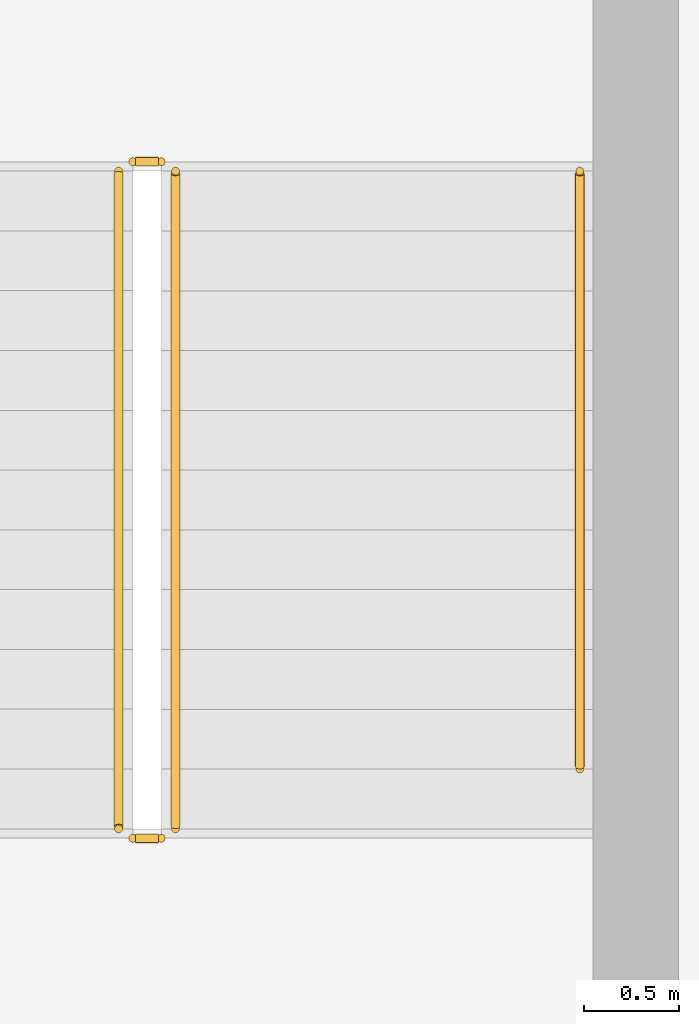
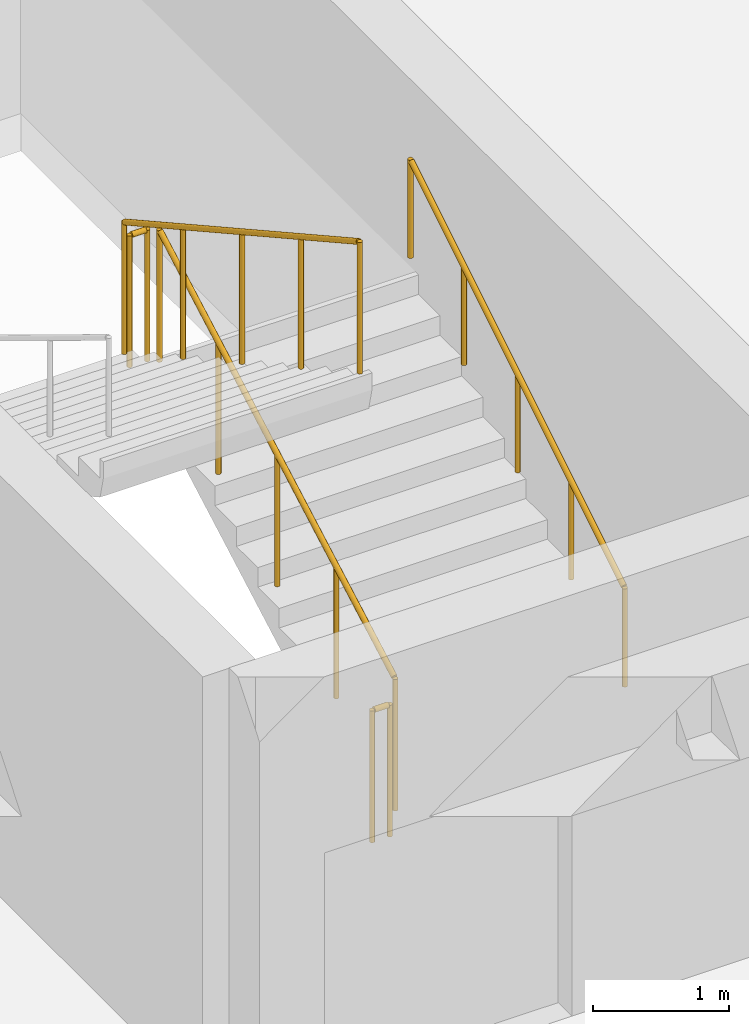
# One storey, part 35 of 39: 5 railings.
"""IFC4 building model written with IfcOpenShell, lengths in metres."""

from ifc_helpers import new_model, si_unit, direction, frame, origin, origin_2d, place, context, subcontext, project, spatial, circle, extrude, material, type_object, element, save


model = new_model("IFC4")

# Units and contexts
model_context = context("Model", 3, precision=1e-05, world=origin(), true_north=direction((0.0, 1.0)))
body_context = subcontext(model_context, "Body", "Model", "MODEL_VIEW")
ifc_project = project(units=[si_unit("LENGTHUNIT", "METRE"), si_unit("AREAUNIT", "SQUARE_METRE"), si_unit("VOLUMEUNIT", "CUBIC_METRE"), si_unit("PLANEANGLEUNIT", "RADIAN"), si_unit("MASSUNIT", "GRAM", prefix="KILO")], contexts=[model_context])

# Site, building, storey
site_placement = place(None, origin())
site = spatial("IfcSite", under=ifc_project, at=site_placement, CompositionType="ELEMENT")
building_placement = place(site_placement, origin())
building = spatial("IfcBuilding", under=site, at=building_placement, Name="Nakhvara Creek Congress Hotel", CompositionType="ELEMENT")
storey_placement = place(building_placement, frame((0.0, 0.0, -4.199951171875)))
storey = spatial("IfcBuildingStorey", under=building, at=storey_placement, Name="B1", CompositionType="ELEMENT", Elevation=-4.199951171875)

# Railings
ifc_material = material(Name="Brushed stainless steel 316L", Category="steel")
railing_type_1 = type_object("IfcRailingType", Name="RL-GUARD-1200", PredefinedType="GUARDRAIL", material=ifc_material)
railing_1_placement = place(storey_placement, frame((129.455078125, 32.679931640625, 0.175048828125)))
element("IfcRailing", 1, at=railing_1_placement, inside=storey, type_object=railing_type_1, Name="B1 ST06 stair guard 1", PredefinedType="GUARDRAIL", context=body_context, shape_type="SweptSolid", body=[
    extrude(circle(Radius=0.02392578125, at=origin_2d()), frame((0.0, 0.012939453125, 1.18310546875), z_axis=(0.0, 0.874183422646, 0.48559586445), x_axis=(-1.0, 0.0, 0.0)), (0.0, 0.0, 1.0), 3.934326171875),
    extrude(circle(Radius=0.02099609375, at=origin_2d()), origin(), (0.0, 0.0, 1.0), 1.1806640625),
    extrude(circle(Radius=0.02099609375, at=origin_2d()), frame((0.0, 0.8662109375, 0.481201171875)), (0.0, 0.0, 1.0), 1.1806640625),
    extrude(circle(Radius=0.02099609375, at=origin_2d()), frame((0.0, 1.732421875, 0.96240234375)), (0.0, 0.0, 1.0), 1.1806640625),
    extrude(circle(Radius=0.02099609375, at=origin_2d()), frame((0.0, 2.598876953125, 1.443603515625)), (0.0, 0.0, 1.0), 1.1806640625),
    extrude(circle(Radius=0.02099609375, at=origin_2d()), frame((0.0, 3.465087890625, 1.9248046875)), (0.0, 0.0, 1.0), 1.1806640625),
])
railing_2_placement = place(storey_placement, frame((129.3798828125, 36.195068359375, 2.099853515625)))
element("IfcRailing", 2, at=railing_2_placement, inside=storey, type_object=railing_type_1, Name="B1 ST06 stair guard 2", PredefinedType="GUARDRAIL", context=body_context, shape_type="SweptSolid", body=[
    extrude(circle(Radius=0.02392578125, at=origin_2d()), frame((-0.0146484375, 0.0, 1.17578125), z_axis=(-1.0, 0.0, 0.0), x_axis=(0.0, -1.0, 0.0)), (0.0, 0.0, 1.0), 0.12060546875),
    extrude(circle(Radius=0.02099609375, at=origin_2d()), origin(), (0.0, 0.0, 1.0), 1.1806640625),
    extrude(circle(Radius=0.02099609375, at=origin_2d()), frame((-0.14990234375, 0.0, 0.0)), (0.0, 0.0, 1.0), 1.1806640625),
])
railing_3_placement = place(storey_placement, frame((129.155029296875, 36.14501953125, 2.27490234375)))
element("IfcRailing", 3, at=railing_3_placement, inside=storey, type_object=railing_type_1, Name="B1 ST06 stair guard 3", PredefinedType="GUARDRAIL", context=body_context, shape_type="SweptSolid", body=[
    extrude(circle(Radius=0.02392578125, at=origin_2d()), frame((0.0, -0.012939453125, 1.18310546875), z_axis=(0.0, -0.874157276122, 0.485642931179), x_axis=(1.0, 0.0, 0.0)), (0.0, 0.0, 1.0), 3.9345703125),
    extrude(circle(Radius=0.02099609375, at=origin_2d()), origin(), (0.0, 0.0, 1.0), 1.1806640625),
    extrude(circle(Radius=0.02099609375, at=origin_2d()), frame((0.0, -0.8662109375, 0.481201171875)), (0.0, 0.0, 1.0), 1.1806640625),
    extrude(circle(Radius=0.02099609375, at=origin_2d()), frame((0.0, -1.732421875, 0.96240234375)), (0.0, 0.0, 1.0), 1.1806640625),
    extrude(circle(Radius=0.02099609375, at=origin_2d()), frame((0.0, -2.598876953125, 1.44384765625)), (0.0, 0.0, 1.0), 1.1806640625),
    extrude(circle(Radius=0.02099609375, at=origin_2d()), frame((0.0, -3.465087890625, 1.925048828125)), (0.0, 0.0, 1.0), 1.1806640625),
])
railing_4_placement = place(storey_placement, frame((129.3798828125, 32.6298828125, 0.0)))
element("IfcRailing", 4, at=railing_4_placement, inside=storey, type_object=railing_type_1, Name="B1 ST06 stair guard 4", PredefinedType="GUARDRAIL", context=body_context, shape_type="SweptSolid", body=[
    extrude(circle(Radius=0.02392578125, at=origin_2d()), frame((-0.0146484375, 0.0, 1.17578125), z_axis=(-1.0, 0.0, 0.0), x_axis=(0.0, -1.0, 0.0)), (0.0, 0.0, 1.0), 0.12060546875),
    extrude(circle(Radius=0.02099609375, at=origin_2d()), origin(), (0.0, 0.0, 1.0), 1.1806640625),
    extrude(circle(Radius=0.02099609375, at=origin_2d()), frame((-0.14990234375, 0.0, 0.0)), (0.0, 0.0, 1.0), 1.1806640625),
])
railing_type_2 = type_object("IfcRailingType", Name="RL-HAND-900", PredefinedType="HANDRAIL", material=ifc_material)
railing_5_placement = place(storey_placement, frame((131.5849609375, 32.9951171875, 0.349853515625)))
element("IfcRailing", 5, at=railing_5_placement, inside=storey, type_object=railing_type_2, Name="B1 ST06 stair handrail 1", PredefinedType="HANDRAIL", context=body_context, shape_type="SweptSolid", body=[
    extrude(circle(Radius=0.02392578125, at=origin_2d()), frame((0.0, 0.012451171875, 0.883544921875), z_axis=(0.0, 0.85194385619, 0.523633140567), x_axis=(-1.0, 0.0, 0.0)), (0.0, 0.0, 1.0), 3.66796875),
    extrude(circle(Radius=0.02099609375, at=origin_2d()), origin(), (0.0, 0.0, 1.0), 0.880615234375),
    extrude(circle(Radius=0.02099609375, at=origin_2d()), frame((0.0, 0.78759765625, 0.48388671875)), (0.0, 0.0, 1.0), 0.880615234375),
    extrude(circle(Radius=0.02099609375, at=origin_2d()), frame((0.0, 1.574951171875, 0.968017578125)), (0.0, 0.0, 1.0), 0.880615234375),
    extrude(circle(Radius=0.02099609375, at=origin_2d()), frame((0.0, 2.3623046875, 1.4521484375)), (0.0, 0.0, 1.0), 0.880615234375),
    extrude(circle(Radius=0.02099609375, at=origin_2d()), frame((0.0, 3.14990234375, 1.93603515625)), (0.0, 0.0, 1.0), 0.880615234375),
])

save(model, "model.ifc")
